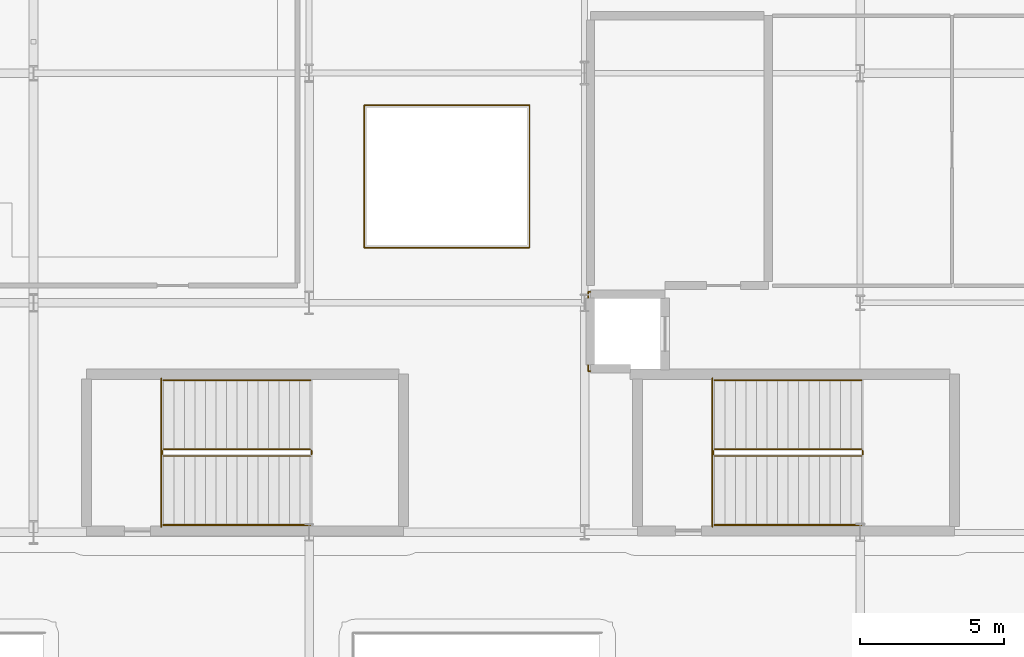
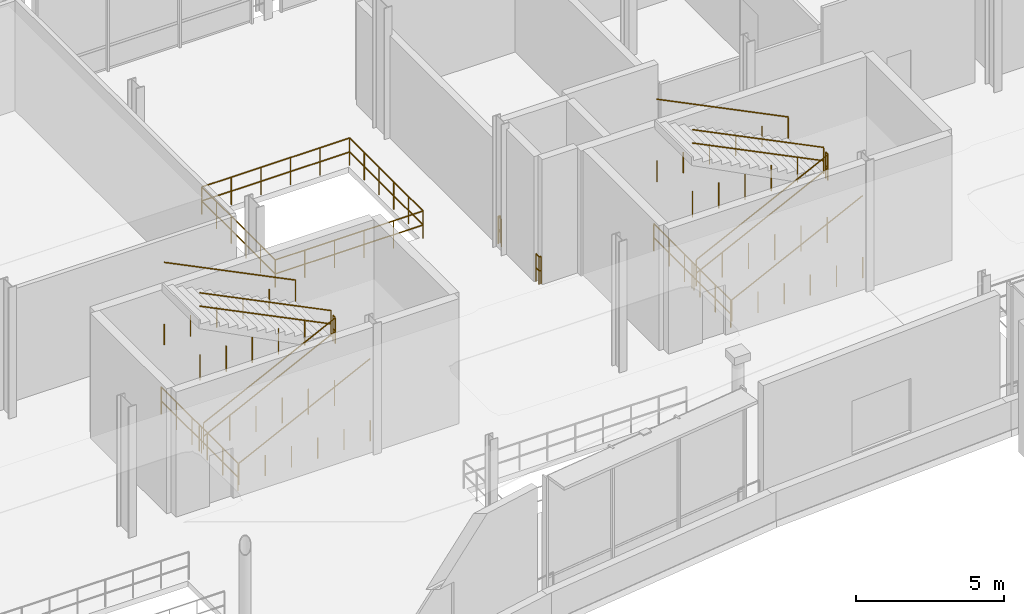
# One storey, part 106 of 129: 17 railings.
"""IFC4 building model written with IfcOpenShell, lengths in metres."""

import ifcopenshell
import ifcopenshell.guid

model = None  # the IFC model being written
_history = None  # IfcOwnerHistory: only IFC2X3 demands one
_inside = {}  # id of a spatial element -> (the spatial element, [elements in it])
_under = {}  # id of a project, library or spatial element -> (it, [spatial elements below it])
_declared = {}  # id of a project -> (the project, [libraries it declares])
_typed = {}  # id of a type object -> (the type object, [elements of that type])
_made_of = {}  # id of a material, layer set ... -> (it, [elements and type objects made of it])


def new_model(schema):
    """Start an empty IFC model of exactly this schema.

    Asked for "IFC4X3", IfcOpenShell would pick the latest addendum, in which some entities
    have other attributes; the version numbers below select the first issue.
    IFC2X3 requires an IfcOwnerHistory on every rooted entity: one is made here for all.
    """
    global model, _history
    if schema == "IFC4X3":
        model = ifcopenshell.file(schema_version=(4, 3, 0, 0))
    else:
        model = ifcopenshell.file(schema=schema)
    _inside.clear()
    _under.clear()
    _declared.clear()
    _typed.clear()
    _made_of.clear()
    _history = None
    if model.schema == "IFC2X3":
        org = make("IfcOrganization", Name="unknown")
        user = make(
            "IfcPersonAndOrganization",
            ThePerson=make("IfcPerson", FamilyName="unknown"),
            TheOrganization=org,
        )
        app = make(
            "IfcApplication",
            ApplicationDeveloper=org,
            Version="unknown",
            ApplicationFullName="unknown",
            ApplicationIdentifier="unknown",
        )
        _history = make(
            "IfcOwnerHistory",
            OwningUser=user,
            OwningApplication=app,
            ChangeAction="ADDED",
            CreationDate=0,
        )
    return model


def make(cls, **values):
    """One entity of the class cls with the attributes given. An attribute that is None is left unset."""
    return model.create_entity(
        cls, **{name: value for name, value in values.items() if value is not None}
    )


def rooted(cls, **values):
    """An entity with a GlobalId (a new one), such as an element, a storey or a relation."""
    return make(cls, GlobalId=ifcopenshell.guid.new(), OwnerHistory=_history, **values)


def si_unit(unit_type, name, prefix=None):
    """IfcSIUnit, for example si_unit("LENGTHUNIT", "METRE", prefix="MILLI")."""
    return make("IfcSIUnit", UnitType=unit_type, Prefix=prefix, Name=name)


def assignment(units):
    """IfcUnitAssignment: the units of a project."""
    return None if units is None else make("IfcUnitAssignment", Units=units)


def point(xyz):
    """IfcCartesianPoint."""
    return None if xyz is None else make("IfcCartesianPoint", Coordinates=xyz)


def direction(xyz):
    """IfcDirection."""
    return None if xyz is None else make("IfcDirection", DirectionRatios=xyz)


def frame(location, z_axis=None, x_axis=None):
    """IfcAxis2Placement3D, a coordinate frame: its origin and axes. An axis left out is left unset."""
    return make(
        "IfcAxis2Placement3D",
        Location=point(location),
        Axis=direction(z_axis),
        RefDirection=direction(x_axis),
    )


def frame_2d(location, x_axis=None):
    """IfcAxis2Placement2D, a coordinate frame in the plane: its origin and x axis."""
    return make(
        "IfcAxis2Placement2D", Location=point(location), RefDirection=direction(x_axis)
    )


def origin():
    """The frame at (0, 0, 0) with its axes left unset."""
    return frame((0.0, 0.0, 0.0))


def origin_2d():
    """The frame at (0, 0) in the plane with its x axis left unset."""
    return frame_2d((0.0, 0.0))


def place(relative_to, where):
    """IfcLocalPlacement: puts the frame where relative to a parent placement (None: the world)."""
    return make(
        "IfcLocalPlacement", PlacementRelTo=relative_to, RelativePlacement=where
    )


def context(
    kind, dimensions, precision=None, world=None, true_north=None, identifier=None
):
    """IfcGeometricRepresentationContext, for example the 3D "Model" context."""
    return make(
        "IfcGeometricRepresentationContext",
        ContextIdentifier=identifier,
        ContextType=kind,
        CoordinateSpaceDimension=dimensions,
        Precision=precision,
        WorldCoordinateSystem=world,
        TrueNorth=true_north,
    )


def subcontext(parent, identifier, kind, view, scale=None):
    """IfcGeometricRepresentationSubContext, for example "Body" below "Model"."""
    return make(
        "IfcGeometricRepresentationSubContext",
        ContextIdentifier=identifier,
        ContextType=kind,
        ParentContext=parent,
        TargetScale=scale,
        TargetView=view,
    )


def project(units=None, contexts=None):
    """IfcProject with its units and contexts."""
    return rooted(
        "IfcProject",
        Name="project",
        RepresentationContexts=contexts,
        UnitsInContext=assignment(units),
    )


def spatial(cls, under=None, at=None, **own):
    """A site, building, storey or space (cls), placed at a placement, below another one or the project."""
    s = rooted(cls, ObjectPlacement=at, **own)
    if under is not None:
        _under.setdefault(under.id(), (under, []))[1].append(s)
    return s


def profile(cls, at=None, kind="AREA", **sizes):
    """A parametric profile (cls). Its sizes go by their IFC names, for example OverallWidth=200.0."""
    return make(cls, ProfileType=kind, Position=at, **sizes)


def circle(**sizes):
    """IfcCircleProfileDef."""
    return profile("IfcCircleProfileDef", **sizes)


def extrude(swept, where, along, depth):
    """IfcExtrudedAreaSolid: the profile swept, set in the frame where, extruded along a direction by depth."""
    return make(
        "IfcExtrudedAreaSolid",
        SweptArea=swept,
        Position=where,
        ExtrudedDirection=direction(along),
        Depth=depth,
    )


def shape(context_of_items, identifier, shape_type, items):
    """IfcShapeRepresentation: the items that make up one representation, for example the "Body"."""
    return make(
        "IfcShapeRepresentation",
        ContextOfItems=context_of_items,
        RepresentationIdentifier=identifier,
        RepresentationType=shape_type,
        Items=items,
    )


def material(Name=None, Category=None):
    """IfcMaterial."""
    return make("IfcMaterial", Name=Name, Category=Category)


def made_of(thing, what):
    """Note that an element or type object is made of a material, layer set ...; save() writes the relation."""
    if what is not None:
        _made_of.setdefault(what.id(), (what, []))[1].append(thing)
    return thing


def type_object(cls, material=None, **own):
    """A type object (cls), such as IfcWallType, which elements share."""
    return made_of(rooted(cls, **own), material)


def element(
    cls,
    number,
    at=None,
    inside=None,
    cuts=None,
    type_object=None,
    material=None,
    context=None,
    identifier="Body",
    shape_type=None,
    held_by="IfcProductDefinitionShape",
    body=None,
    shapes=None,
    **own,
):
    """One element of the class cls, such as IfcWall. Its Tag is "e" and its number.

    at: its placement. inside: the storey or other place that contains it. cuts: it is an
    opening in that element (IfcRelVoidsElement). A single representation is given by context,
    identifier, shape_type and body (its items); several are given by shapes. held_by: the class
    of the entity that holds the representations. save() writes the other relations.
    """
    e = rooted(cls, Tag="e%d" % number, ObjectPlacement=at, **own)
    if body is not None:
        shapes = [shape(context, identifier, shape_type, body)]
    if shapes is not None:
        e.Representation = make(held_by, Representations=shapes)
    if inside is not None:
        _inside.setdefault(inside.id(), (inside, []))[1].append(e)
    if cuts is not None:
        rooted(
            "IfcRelVoidsElement", RelatingBuildingElement=cuts, RelatedOpeningElement=e
        )
    if type_object is not None:
        _typed.setdefault(type_object.id(), (type_object, []))[1].append(e)
    return made_of(e, material)


def aggregate(whole, parts):
    """IfcRelAggregates: a whole, such as a stair, and the parts it consists of."""
    return rooted("IfcRelAggregates", RelatingObject=whole, RelatedObjects=parts)


def save(model, path):
    """Write the relations noted so far, then the file.

    IfcRelAggregates (storeys below a building ...), IfcRelContainedInSpatialStructure (elements
    in a storey), IfcRelDefinesByType, IfcRelAssociatesMaterial and IfcRelDeclares: one each for
    every whole, place, type object, material and project.
    """
    for whole, parts in _under.values():
        aggregate(whole, parts)
    for where, things in _inside.values():
        rooted(
            "IfcRelContainedInSpatialStructure",
            RelatedElements=things,
            RelatingStructure=where,
        )
    for kind, things in _typed.values():
        rooted("IfcRelDefinesByType", RelatedObjects=things, RelatingType=kind)
    for what, things in _made_of.values():
        rooted("IfcRelAssociatesMaterial", RelatedObjects=things, RelatingMaterial=what)
    for by, libraries in _declared.values():
        rooted("IfcRelDeclares", RelatingContext=by, RelatedDefinitions=libraries)
    model.write(path)


model = new_model("IFC4")

# Units and contexts
model_context = context("Model", 3, precision=1e-05, world=origin(), true_north=direction((0.0, 1.0)))
body_context = subcontext(model_context, "Body", "Model", "MODEL_VIEW")
ifc_project = project(units=[si_unit("LENGTHUNIT", "METRE"), si_unit("AREAUNIT", "SQUARE_METRE"), si_unit("VOLUMEUNIT", "CUBIC_METRE"), si_unit("PLANEANGLEUNIT", "RADIAN"), si_unit("MASSUNIT", "GRAM", prefix="KILO")], contexts=[model_context])

# Site, building, storey
site_placement = place(None, origin())
site = spatial("IfcSite", under=ifc_project, at=site_placement, CompositionType="ELEMENT")
building_placement = place(site_placement, origin())
building = spatial("IfcBuilding", under=site, at=building_placement, Name="Danafjord Basin Convention Centre", CompositionType="ELEMENT")
storey_placement = place(building_placement, frame((0.0, 0.0, 6.0)))
storey = spatial("IfcBuildingStorey", under=building, at=storey_placement, Name="L01", CompositionType="ELEMENT", Elevation=6.0)

# Railings
ifc_material_1 = material(Name="Laminated structural glass and stainless steel", Category="steel")
railing_type_1 = type_object("IfcRailingType", Name="RL-BAL-GLS", PredefinedType="BALUSTRADE", material=ifc_material_1)
railing_1_placement = place(storey_placement, frame((52.449951171875, 21.375, 0.0)))
element("IfcRailing", 1, at=railing_1_placement, inside=storey, type_object=railing_type_1, Name="L01 safety guard balustrade 114", PredefinedType="BALUSTRADE", context=body_context, shape_type="SweptSolid", body=[
    extrude(circle(Radius=0.02392578125, at=origin_2d()), frame((0.0, 0.0, 1.1259765625), z_axis=(0.0, -1.0, 0.0), x_axis=(1.0, 0.0, 0.0)), (0.0, 0.0, 1.0), 5.18994140625),
    extrude(circle(Radius=0.02392578125, at=origin_2d()), frame((0.0, 0.0, 0.55078125), z_axis=(0.0, -1.0, 0.0), x_axis=(1.0, 0.0, 0.0)), (0.0, 0.0, 1.0), 5.18994140625),
    extrude(circle(Radius=0.02099609375, at=origin_2d()), origin(), (0.0, 0.0, 1.0), 1.099853515625),
    extrude(circle(Radius=0.02099609375, at=origin_2d()), frame((0.0, -1.0380859375, 0.0)), (0.0, 0.0, 1.0), 1.099853515625),
    extrude(circle(Radius=0.02099609375, at=origin_2d()), frame((0.0, -2.075927734375, 0.0)), (0.0, 0.0, 1.0), 1.099853515625),
    extrude(circle(Radius=0.02099609375, at=origin_2d()), frame((0.0, -3.114013671875, 0.0)), (0.0, 0.0, 1.0), 1.099853515625),
    extrude(circle(Radius=0.02099609375, at=origin_2d()), frame((0.0, -4.15185546875, 0.0)), (0.0, 0.0, 1.0), 1.099853515625),
    extrude(circle(Radius=0.02099609375, at=origin_2d()), frame((0.0, -5.18994140625, 0.0)), (0.0, 0.0, 1.0), 1.099853515625),
])
railing_2_placement = place(storey_placement, frame((48.199951171875, 24.3798828125, 0.0)))
element("IfcRailing", 2, at=railing_2_placement, inside=storey, type_object=railing_type_1, Name="L01 safety guard balustrade 116", PredefinedType="BALUSTRADE", context=body_context, shape_type="SweptSolid", body=[
    extrude(circle(Radius=0.02392578125, at=origin_2d()), frame((0.0, 0.0, 1.1259765625), z_axis=(-1.0, 0.0, 0.0), x_axis=(0.0, -1.0, 0.0)), (0.0, 0.0, 1.0), 0.079833984375),
    extrude(circle(Radius=0.02392578125, at=origin_2d()), frame((0.0, 0.0, 0.55078125), z_axis=(-1.0, 0.0, 0.0), x_axis=(0.0, -1.0, 0.0)), (0.0, 0.0, 1.0), 0.079833984375),
    extrude(circle(Radius=0.02392578125, at=origin_2d()), frame((-0.079833984375, 0.0, 1.1259765625), z_axis=(0.0, -1.0, 0.0), x_axis=(1.0, 0.0, 0.0)), (0.0, 0.0, 1.0), 0.21484375),
    extrude(circle(Radius=0.02392578125, at=origin_2d()), frame((-0.079833984375, 0.0, 0.55078125), z_axis=(0.0, -1.0, 0.0), x_axis=(1.0, 0.0, 0.0)), (0.0, 0.0, 1.0), 0.21484375),
    extrude(circle(Radius=0.02099609375, at=origin_2d()), origin(), (0.0, 0.0, 1.0), 1.099853515625),
    extrude(circle(Radius=0.02099609375, at=origin_2d()), frame((-0.079833984375, 0.0, 0.0)), (0.0, 0.0, 1.0), 1.099853515625),
    extrude(circle(Radius=0.02099609375, at=origin_2d()), frame((-0.079833984375, -0.21484375, 0.0)), (0.0, 0.0, 1.0), 1.099853515625),
])
railing_3_placement = place(storey_placement, frame((33.25, 21.375, 0.0)))
element("IfcRailing", 3, at=railing_3_placement, inside=storey, type_object=railing_type_1, Name="L01 safety guard balustrade 120", PredefinedType="BALUSTRADE", context=body_context, shape_type="SweptSolid", body=[
    extrude(circle(Radius=0.02392578125, at=origin_2d()), frame((0.0, 0.0, 1.1259765625), z_axis=(0.0, -1.0, 0.0), x_axis=(1.0, 0.0, 0.0)), (0.0, 0.0, 1.0), 5.18994140625),
    extrude(circle(Radius=0.02392578125, at=origin_2d()), frame((0.0, 0.0, 0.55078125), z_axis=(0.0, -1.0, 0.0), x_axis=(1.0, 0.0, 0.0)), (0.0, 0.0, 1.0), 5.18994140625),
    extrude(circle(Radius=0.02099609375, at=origin_2d()), origin(), (0.0, 0.0, 1.0), 1.099853515625),
    extrude(circle(Radius=0.02099609375, at=origin_2d()), frame((0.0, -1.0380859375, 0.0)), (0.0, 0.0, 1.0), 1.099853515625),
    extrude(circle(Radius=0.02099609375, at=origin_2d()), frame((0.0, -2.075927734375, 0.0)), (0.0, 0.0, 1.0), 1.099853515625),
    extrude(circle(Radius=0.02099609375, at=origin_2d()), frame((0.0, -3.114013671875, 0.0)), (0.0, 0.0, 1.0), 1.099853515625),
    extrude(circle(Radius=0.02099609375, at=origin_2d()), frame((0.0, -4.15185546875, 0.0)), (0.0, 0.0, 1.0), 1.099853515625),
    extrude(circle(Radius=0.02099609375, at=origin_2d()), frame((0.0, -5.18994140625, 0.0)), (0.0, 0.0, 1.0), 1.099853515625),
])
ifc_material_2 = material(Name="Galvanised and powder-coated steel S355", Category="steel")
railing_type_2 = type_object("IfcRailingType", Name="RL-BAL-STL", PredefinedType="BALUSTRADE", material=ifc_material_2)
railing_4_placement = place(storey_placement, frame((48.1201171875, 21.8349609375, 0.0)))
element("IfcRailing", 4, at=railing_4_placement, inside=storey, type_object=railing_type_2, Name="L01 safety guard balustrade 117", PredefinedType="BALUSTRADE", context=body_context, shape_type="SweptSolid", body=[
    extrude(circle(Radius=0.02392578125, at=origin_2d()), frame((0.0, 0.0, 1.1259765625), z_axis=(0.0, -1.0, 0.0), x_axis=(1.0, 0.0, 0.0)), (0.0, 0.0, 1.0), 0.21484375),
    extrude(circle(Radius=0.02392578125, at=origin_2d()), frame((0.0, 0.0, 0.55078125), z_axis=(0.0, -1.0, 0.0), x_axis=(1.0, 0.0, 0.0)), (0.0, 0.0, 1.0), 0.21484375),
    extrude(circle(Radius=0.02392578125, at=origin_2d()), frame((0.0, -0.21484375, 1.1259765625), z_axis=(1.0, 0.0, 0.0), x_axis=(0.0, 1.0, 0.0)), (0.0, 0.0, 1.0), 0.079833984375),
    extrude(circle(Radius=0.02392578125, at=origin_2d()), frame((0.0, -0.21484375, 0.55078125), z_axis=(1.0, 0.0, 0.0), x_axis=(0.0, 1.0, 0.0)), (0.0, 0.0, 1.0), 0.079833984375),
    extrude(circle(Radius=0.02099609375, at=origin_2d()), origin(), (0.0, 0.0, 1.0), 1.099853515625),
    extrude(circle(Radius=0.02099609375, at=origin_2d()), frame((0.0, -0.21484375, 0.0)), (0.0, 0.0, 1.0), 1.099853515625),
    extrude(circle(Radius=0.02099609375, at=origin_2d()), frame((0.079833984375, -0.21484375, 0.0)), (0.0, 0.0, 1.0), 1.099853515625),
])
railing_5_placement = place(storey_placement, frame((46.080078125, 25.919921875, 0.0)))
element("IfcRailing", 5, at=railing_5_placement, inside=storey, type_object=railing_type_2, Name="L01 safety guard balustrade 119", PredefinedType="BALUSTRADE", context=body_context, shape_type="SweptSolid", body=[
    extrude(circle(Radius=0.02392578125, at=origin_2d()), frame((0.0, 0.0, 1.1259765625), z_axis=(0.0, 1.0, 0.0), x_axis=(-1.0, 0.0, 0.0)), (0.0, 0.0, 1.0), 4.9599609375),
    extrude(circle(Radius=0.02392578125, at=origin_2d()), frame((0.0, 0.0, 0.55078125), z_axis=(0.0, 1.0, 0.0), x_axis=(-1.0, 0.0, 0.0)), (0.0, 0.0, 1.0), 4.9599609375),
    extrude(circle(Radius=0.02392578125, at=origin_2d()), frame((0.0, 4.9599609375, 1.1259765625), z_axis=(-1.0, 0.0, 0.0), x_axis=(0.0, -1.0, 0.0)), (0.0, 0.0, 1.0), 5.760009765625),
    extrude(circle(Radius=0.02392578125, at=origin_2d()), frame((0.0, 4.9599609375, 0.55078125), z_axis=(-1.0, 0.0, 0.0), x_axis=(0.0, -1.0, 0.0)), (0.0, 0.0, 1.0), 5.760009765625),
    extrude(circle(Radius=0.02392578125, at=origin_2d()), frame((-5.760009765625, 4.9599609375, 1.1259765625), z_axis=(0.0, -1.0, 0.0), x_axis=(1.0, 0.0, 0.0)), (0.0, 0.0, 1.0), 4.9599609375),
    extrude(circle(Radius=0.02392578125, at=origin_2d()), frame((-5.760009765625, 4.9599609375, 0.55078125), z_axis=(0.0, -1.0, 0.0), x_axis=(1.0, 0.0, 0.0)), (0.0, 0.0, 1.0), 4.9599609375),
    extrude(circle(Radius=0.02392578125, at=origin_2d()), frame((-5.760009765625, 0.0, 1.1259765625), z_axis=(1.0, 0.0, 0.0), x_axis=(0.0, 1.0, 0.0)), (0.0, 0.0, 1.0), 5.760009765625),
    extrude(circle(Radius=0.02392578125, at=origin_2d()), frame((-5.760009765625, 0.0, 0.55078125), z_axis=(1.0, 0.0, 0.0), x_axis=(0.0, 1.0, 0.0)), (0.0, 0.0, 1.0), 5.760009765625),
    extrude(circle(Radius=0.02099609375, at=origin_2d()), origin(), (0.0, 0.0, 1.0), 1.099853515625),
    extrude(circle(Radius=0.02099609375, at=origin_2d()), frame((0.0, 0.991943359375, 0.0)), (0.0, 0.0, 1.0), 1.099853515625),
    extrude(circle(Radius=0.02099609375, at=origin_2d()), frame((0.0, 1.98388671875, 0.0)), (0.0, 0.0, 1.0), 1.099853515625),
    extrude(circle(Radius=0.02099609375, at=origin_2d()), frame((0.0, 2.97607421875, 0.0)), (0.0, 0.0, 1.0), 1.099853515625),
    extrude(circle(Radius=0.02099609375, at=origin_2d()), frame((0.0, 3.968017578125, 0.0)), (0.0, 0.0, 1.0), 1.099853515625),
    extrude(circle(Radius=0.02099609375, at=origin_2d()), frame((0.0, 4.9599609375, 0.0)), (0.0, 0.0, 1.0), 1.099853515625),
    extrude(circle(Radius=0.02099609375, at=origin_2d()), frame((-1.152099609375, 4.9599609375, 0.0)), (0.0, 0.0, 1.0), 1.099853515625),
    extrude(circle(Radius=0.02099609375, at=origin_2d()), frame((-2.303955078125, 4.9599609375, 0.0)), (0.0, 0.0, 1.0), 1.099853515625),
    extrude(circle(Radius=0.02099609375, at=origin_2d()), frame((-3.4560546875, 4.9599609375, 0.0)), (0.0, 0.0, 1.0), 1.099853515625),
    extrude(circle(Radius=0.02099609375, at=origin_2d()), frame((-4.60791015625, 4.9599609375, 0.0)), (0.0, 0.0, 1.0), 1.099853515625),
    extrude(circle(Radius=0.02099609375, at=origin_2d()), frame((-5.760009765625, 4.9599609375, 0.0)), (0.0, 0.0, 1.0), 1.099853515625),
    extrude(circle(Radius=0.02099609375, at=origin_2d()), frame((-5.760009765625, 3.968017578125, 0.0)), (0.0, 0.0, 1.0), 1.099853515625),
    extrude(circle(Radius=0.02099609375, at=origin_2d()), frame((-5.760009765625, 2.97607421875, 0.0)), (0.0, 0.0, 1.0), 1.099853515625),
    extrude(circle(Radius=0.02099609375, at=origin_2d()), frame((-5.760009765625, 1.98388671875, 0.0)), (0.0, 0.0, 1.0), 1.099853515625),
    extrude(circle(Radius=0.02099609375, at=origin_2d()), frame((-5.760009765625, 0.991943359375, 0.0)), (0.0, 0.0, 1.0), 1.099853515625),
    extrude(circle(Radius=0.02099609375, at=origin_2d()), frame((-5.760009765625, 0.0, 0.0)), (0.0, 0.0, 1.0), 1.099853515625),
    extrude(circle(Radius=0.02099609375, at=origin_2d()), frame((-4.60791015625, 0.0, 0.0)), (0.0, 0.0, 1.0), 1.099853515625),
    extrude(circle(Radius=0.02099609375, at=origin_2d()), frame((-3.4560546875, 0.0, 0.0)), (0.0, 0.0, 1.0), 1.099853515625),
    extrude(circle(Radius=0.02099609375, at=origin_2d()), frame((-2.303955078125, 0.0, 0.0)), (0.0, 0.0, 1.0), 1.099853515625),
    extrude(circle(Radius=0.02099609375, at=origin_2d()), frame((-1.152099609375, 0.0, 0.0)), (0.0, 0.0, 1.0), 1.099853515625),
])
ifc_material_3 = material(Name="Galvanised steel S355", Category="steel")
railing_type_3 = type_object("IfcRailingType", Name="RL-GD-WELL", PredefinedType="BALUSTRADE", material=ifc_material_3)
railing_6_placement = place(storey_placement, frame((52.530029296875, 18.659912109375, 0.179931640625)))
element("IfcRailing", 6, at=railing_6_placement, inside=storey, type_object=railing_type_3, Name="L01 ST-05 stair guard 1", PredefinedType="BALUSTRADE", context=body_context, shape_type="SweptSolid", body=[
    extrude(circle(Radius=0.02392578125, at=origin_2d()), frame((0.0, 0.0, 1.076171875), z_axis=(0.89686481642, 0.0, 0.442304760396), x_axis=(0.0, 1.0, 0.0)), (0.0, 0.0, 1.0), 5.697509765625),
    extrude(circle(Radius=0.02392578125, at=origin_2d()), frame((0.0, 0.0, 0.52587890625), z_axis=(0.89686481642, 0.0, 0.442304760396), x_axis=(0.0, 1.0, 0.0)), (0.0, 0.0, 1.0), 5.697509765625),
    extrude(circle(Radius=0.02099609375, at=origin_2d()), origin(), (0.0, 0.0, 1.0), 1.050048828125),
    extrude(circle(Radius=0.02099609375, at=origin_2d()), frame((1.02197265625, 0.0, 0.0)), (0.0, 0.0, 1.0), 1.050048828125),
    extrude(circle(Radius=0.02099609375, at=origin_2d()), frame((2.0439453125, 0.0, 0.0)), (0.0, 0.0, 1.0), 1.050048828125),
    extrude(circle(Radius=0.02099609375, at=origin_2d()), frame((3.06591796875, 0.0, 0.0)), (0.0, 0.0, 1.0), 1.050048828125),
    extrude(circle(Radius=0.02099609375, at=origin_2d()), frame((4.087890625, 0.0, 0.0)), (0.0, 0.0, 1.0), 1.050048828125),
    extrude(circle(Radius=0.02099609375, at=origin_2d()), frame((5.10986328125, 0.0, 0.0)), (0.0, 0.0, 1.0), 1.050048828125),
])
railing_7_placement = place(storey_placement, frame((57.68994140625, 18.7099609375, 2.699951171875)))
element("IfcRailing", 7, at=railing_7_placement, inside=storey, type_object=railing_type_3, Name="L01 ST-05 stair guard 2", PredefinedType="BALUSTRADE", context=body_context, shape_type="SweptSolid", body=[
    extrude(circle(Radius=0.02392578125, at=origin_2d()), frame((0.0, 0.0, 1.076171875), z_axis=(0.0, 1.0, 0.0), x_axis=(-1.0, 0.0, 0.0)), (0.0, 0.0, 1.0), 0.14013671875),
    extrude(circle(Radius=0.02392578125, at=origin_2d()), frame((0.0, 0.0, 0.52587890625), z_axis=(0.0, 1.0, 0.0), x_axis=(-1.0, 0.0, 0.0)), (0.0, 0.0, 1.0), 0.14013671875),
    extrude(circle(Radius=0.02099609375, at=origin_2d()), origin(), (0.0, 0.0, 1.0), 1.050048828125),
    extrude(circle(Radius=0.02099609375, at=origin_2d()), frame((0.0, 0.14013671875, 0.0)), (0.0, 0.0, 1.0), 1.050048828125),
])
railing_8_placement = place(storey_placement, frame((57.639892578125, 18.89990234375, 2.8798828125)))
element("IfcRailing", 8, at=railing_8_placement, inside=storey, type_object=railing_type_3, Name="L01 ST-05 stair guard 3", PredefinedType="BALUSTRADE", context=body_context, shape_type="SweptSolid", body=[
    extrude(circle(Radius=0.02392578125, at=origin_2d()), frame((0.0, 0.0, 1.076171875), z_axis=(-0.89686481642, 0.0, 0.442304760396), x_axis=(0.0, -1.0, 0.0)), (0.0, 0.0, 1.0), 5.697509765625),
    extrude(circle(Radius=0.02392578125, at=origin_2d()), frame((0.0, 0.0, 0.52587890625), z_axis=(-0.89686481642, 0.0, 0.442304760396), x_axis=(0.0, -1.0, 0.0)), (0.0, 0.0, 1.0), 5.697509765625),
    extrude(circle(Radius=0.02099609375, at=origin_2d()), origin(), (0.0, 0.0, 1.0), 1.050048828125),
    extrude(circle(Radius=0.02099609375, at=origin_2d()), frame((-1.02197265625, 0.0, 0.0)), (0.0, 0.0, 1.0), 1.050048828125),
    extrude(circle(Radius=0.02099609375, at=origin_2d()), frame((-2.0439453125, 0.0, 0.0)), (0.0, 0.0, 1.0), 1.050048828125),
    extrude(circle(Radius=0.02099609375, at=origin_2d()), frame((-3.06591796875, 0.0, 0.0)), (0.0, 0.0, 1.0), 1.050048828125),
    extrude(circle(Radius=0.02099609375, at=origin_2d()), frame((-4.087890625, 0.0, 0.0)), (0.0, 0.0, 1.0), 1.050048828125),
    extrude(circle(Radius=0.02099609375, at=origin_2d()), frame((-5.10986328125, 0.0, 0.0)), (0.0, 0.0, 1.0), 1.050048828125),
])
railing_9_placement = place(storey_placement, frame((52.47998046875, 18.7099609375, 0.0)))
element("IfcRailing", 9, at=railing_9_placement, inside=storey, type_object=railing_type_3, Name="L01 ST-05 stair guard 4", PredefinedType="BALUSTRADE", context=body_context, shape_type="SweptSolid", body=[
    extrude(circle(Radius=0.02392578125, at=origin_2d()), frame((0.0, 0.0, 1.076171875), z_axis=(0.0, 1.0, 0.0), x_axis=(-1.0, 0.0, 0.0)), (0.0, 0.0, 1.0), 0.14013671875),
    extrude(circle(Radius=0.02392578125, at=origin_2d()), frame((0.0, 0.0, 0.52587890625), z_axis=(0.0, 1.0, 0.0), x_axis=(-1.0, 0.0, 0.0)), (0.0, 0.0, 1.0), 0.14013671875),
    extrude(circle(Radius=0.02099609375, at=origin_2d()), origin(), (0.0, 0.0, 1.0), 1.050048828125),
    extrude(circle(Radius=0.02099609375, at=origin_2d()), frame((0.0, 0.14013671875, 0.0)), (0.0, 0.0, 1.0), 1.050048828125),
])
railing_10_placement = place(storey_placement, frame((33.330078125, 18.659912109375, 0.179931640625)))
element("IfcRailing", 10, at=railing_10_placement, inside=storey, type_object=railing_type_3, Name="L01 ST-02 stair guard 1", PredefinedType="BALUSTRADE", context=body_context, shape_type="SweptSolid", body=[
    extrude(circle(Radius=0.02392578125, at=origin_2d()), frame((0.0, 0.0, 1.076171875), z_axis=(0.89686481642, 0.0, 0.442304760396), x_axis=(0.0, 1.0, 0.0)), (0.0, 0.0, 1.0), 5.697509765625),
    extrude(circle(Radius=0.02392578125, at=origin_2d()), frame((0.0, 0.0, 0.52587890625), z_axis=(0.89686481642, 0.0, 0.442304760396), x_axis=(0.0, 1.0, 0.0)), (0.0, 0.0, 1.0), 5.697509765625),
    extrude(circle(Radius=0.02099609375, at=origin_2d()), origin(), (0.0, 0.0, 1.0), 1.050048828125),
    extrude(circle(Radius=0.02099609375, at=origin_2d()), frame((1.02197265625, 0.0, 0.0)), (0.0, 0.0, 1.0), 1.050048828125),
    extrude(circle(Radius=0.02099609375, at=origin_2d()), frame((2.0439453125, 0.0, 0.0)), (0.0, 0.0, 1.0), 1.050048828125),
    extrude(circle(Radius=0.02099609375, at=origin_2d()), frame((3.06591796875, 0.0, 0.0)), (0.0, 0.0, 1.0), 1.050048828125),
    extrude(circle(Radius=0.02099609375, at=origin_2d()), frame((4.087890625, 0.0, 0.0)), (0.0, 0.0, 1.0), 1.050048828125),
    extrude(circle(Radius=0.02099609375, at=origin_2d()), frame((5.10986328125, 0.0, 0.0)), (0.0, 0.0, 1.0), 1.050048828125),
])
railing_11_placement = place(storey_placement, frame((38.489990234375, 18.7099609375, 2.699951171875)))
element("IfcRailing", 11, at=railing_11_placement, inside=storey, type_object=railing_type_3, Name="L01 ST-02 stair guard 2", PredefinedType="BALUSTRADE", context=body_context, shape_type="SweptSolid", body=[
    extrude(circle(Radius=0.02392578125, at=origin_2d()), frame((0.0, 0.0, 1.076171875), z_axis=(0.0, 1.0, 0.0), x_axis=(-1.0, 0.0, 0.0)), (0.0, 0.0, 1.0), 0.14013671875),
    extrude(circle(Radius=0.02392578125, at=origin_2d()), frame((0.0, 0.0, 0.52587890625), z_axis=(0.0, 1.0, 0.0), x_axis=(-1.0, 0.0, 0.0)), (0.0, 0.0, 1.0), 0.14013671875),
    extrude(circle(Radius=0.02099609375, at=origin_2d()), origin(), (0.0, 0.0, 1.0), 1.050048828125),
    extrude(circle(Radius=0.02099609375, at=origin_2d()), frame((0.0, 0.14013671875, 0.0)), (0.0, 0.0, 1.0), 1.050048828125),
])
railing_12_placement = place(storey_placement, frame((38.43994140625, 18.89990234375, 2.8798828125)))
element("IfcRailing", 12, at=railing_12_placement, inside=storey, type_object=railing_type_3, Name="L01 ST-02 stair guard 3", PredefinedType="BALUSTRADE", context=body_context, shape_type="SweptSolid", body=[
    extrude(circle(Radius=0.02392578125, at=origin_2d()), frame((0.0, 0.0, 1.076171875), z_axis=(-0.89686481642, 0.0, 0.442304760396), x_axis=(0.0, -1.0, 0.0)), (0.0, 0.0, 1.0), 5.697509765625),
    extrude(circle(Radius=0.02392578125, at=origin_2d()), frame((0.0, 0.0, 0.52587890625), z_axis=(-0.89686481642, 0.0, 0.442304760396), x_axis=(0.0, -1.0, 0.0)), (0.0, 0.0, 1.0), 5.697509765625),
    extrude(circle(Radius=0.02099609375, at=origin_2d()), origin(), (0.0, 0.0, 1.0), 1.050048828125),
    extrude(circle(Radius=0.02099609375, at=origin_2d()), frame((-1.02197265625, 0.0, 0.0)), (0.0, 0.0, 1.0), 1.050048828125),
    extrude(circle(Radius=0.02099609375, at=origin_2d()), frame((-2.0439453125, 0.0, 0.0)), (0.0, 0.0, 1.0), 1.050048828125),
    extrude(circle(Radius=0.02099609375, at=origin_2d()), frame((-3.06591796875, 0.0, 0.0)), (0.0, 0.0, 1.0), 1.050048828125),
    extrude(circle(Radius=0.02099609375, at=origin_2d()), frame((-4.087890625, 0.0, 0.0)), (0.0, 0.0, 1.0), 1.050048828125),
    extrude(circle(Radius=0.02099609375, at=origin_2d()), frame((-5.10986328125, 0.0, 0.0)), (0.0, 0.0, 1.0), 1.050048828125),
])
railing_13_placement = place(storey_placement, frame((33.280029296875, 18.7099609375, 0.0)))
element("IfcRailing", 13, at=railing_13_placement, inside=storey, type_object=railing_type_3, Name="L01 ST-02 stair guard 4", PredefinedType="BALUSTRADE", context=body_context, shape_type="SweptSolid", body=[
    extrude(circle(Radius=0.02392578125, at=origin_2d()), frame((0.0, 0.0, 1.076171875), z_axis=(0.0, 1.0, 0.0), x_axis=(-1.0, 0.0, 0.0)), (0.0, 0.0, 1.0), 0.14013671875),
    extrude(circle(Radius=0.02392578125, at=origin_2d()), frame((0.0, 0.0, 0.52587890625), z_axis=(0.0, 1.0, 0.0), x_axis=(-1.0, 0.0, 0.0)), (0.0, 0.0, 1.0), 0.14013671875),
    extrude(circle(Radius=0.02099609375, at=origin_2d()), origin(), (0.0, 0.0, 1.0), 1.050048828125),
    extrude(circle(Radius=0.02099609375, at=origin_2d()), frame((0.0, 0.14013671875, 0.0)), (0.0, 0.0, 1.0), 1.050048828125),
])
ifc_material_4 = material(Name="Brushed stainless steel EN 1.4404", Category="steel")
railing_type_4 = type_object("IfcRailingType", Name="RL-HR-STAIR", PredefinedType="HANDRAIL", material=ifc_material_4)
railing_14_placement = place(storey_placement, frame((52.530029296875, 16.260009765625, 0.179931640625)))
element("IfcRailing", 14, at=railing_14_placement, inside=storey, type_object=railing_type_4, Name="L01 ST-05 stair handrail 1", PredefinedType="HANDRAIL", context=body_context, shape_type="SweptSolid", body=[
    extrude(circle(Radius=0.02392578125, at=origin_2d()), frame((0.0, 0.0, 0.8759765625), z_axis=(0.89686481642, 0.0, 0.442304760396), x_axis=(0.0, 1.0, 0.0)), (0.0, 0.0, 1.0), 5.697509765625),
    extrude(circle(Radius=0.02099609375, at=origin_2d()), origin(), (0.0, 0.0, 1.0), 0.849853515625),
    extrude(circle(Radius=0.02099609375, at=origin_2d()), frame((1.02197265625, 0.0, 0.0)), (0.0, 0.0, 1.0), 0.849853515625),
    extrude(circle(Radius=0.02099609375, at=origin_2d()), frame((2.0439453125, 0.0, 0.0)), (0.0, 0.0, 1.0), 0.849853515625),
    extrude(circle(Radius=0.02099609375, at=origin_2d()), frame((3.06591796875, 0.0, 0.0)), (0.0, 0.0, 1.0), 0.849853515625),
    extrude(circle(Radius=0.02099609375, at=origin_2d()), frame((4.087890625, 0.0, 0.0)), (0.0, 0.0, 1.0), 0.849853515625),
    extrude(circle(Radius=0.02099609375, at=origin_2d()), frame((5.10986328125, 0.0, 0.0)), (0.0, 0.0, 1.0), 0.849853515625),
])
railing_15_placement = place(storey_placement, frame((57.639892578125, 21.300048828125, 2.8798828125)))
element("IfcRailing", 15, at=railing_15_placement, inside=storey, type_object=railing_type_4, Name="L01 ST-05 stair handrail 2", PredefinedType="HANDRAIL", context=body_context, shape_type="SweptSolid", body=[
    extrude(circle(Radius=0.02392578125, at=origin_2d()), frame((0.0, 0.0, 0.8759765625), z_axis=(-0.89686481642, 0.0, 0.442304760396), x_axis=(0.0, -1.0, 0.0)), (0.0, 0.0, 1.0), 5.697509765625),
    extrude(circle(Radius=0.02099609375, at=origin_2d()), origin(), (0.0, 0.0, 1.0), 0.849853515625),
    extrude(circle(Radius=0.02099609375, at=origin_2d()), frame((-1.02197265625, 0.0, 0.0)), (0.0, 0.0, 1.0), 0.849853515625),
    extrude(circle(Radius=0.02099609375, at=origin_2d()), frame((-2.0439453125, 0.0, 0.0)), (0.0, 0.0, 1.0), 0.849853515625),
    extrude(circle(Radius=0.02099609375, at=origin_2d()), frame((-3.06591796875, 0.0, 0.0)), (0.0, 0.0, 1.0), 0.849853515625),
    extrude(circle(Radius=0.02099609375, at=origin_2d()), frame((-4.087890625, 0.0, 0.0)), (0.0, 0.0, 1.0), 0.849853515625),
    extrude(circle(Radius=0.02099609375, at=origin_2d()), frame((-5.10986328125, 0.0, 0.0)), (0.0, 0.0, 1.0), 0.849853515625),
])
railing_16_placement = place(storey_placement, frame((33.330078125, 16.260009765625, 0.179931640625)))
element("IfcRailing", 16, at=railing_16_placement, inside=storey, type_object=railing_type_4, Name="L01 ST-02 stair handrail 1", PredefinedType="HANDRAIL", context=body_context, shape_type="SweptSolid", body=[
    extrude(circle(Radius=0.02392578125, at=origin_2d()), frame((0.0, 0.0, 0.8759765625), z_axis=(0.89686481642, 0.0, 0.442304760396), x_axis=(0.0, 1.0, 0.0)), (0.0, 0.0, 1.0), 5.697509765625),
    extrude(circle(Radius=0.02099609375, at=origin_2d()), origin(), (0.0, 0.0, 1.0), 0.849853515625),
    extrude(circle(Radius=0.02099609375, at=origin_2d()), frame((1.02197265625, 0.0, 0.0)), (0.0, 0.0, 1.0), 0.849853515625),
    extrude(circle(Radius=0.02099609375, at=origin_2d()), frame((2.0439453125, 0.0, 0.0)), (0.0, 0.0, 1.0), 0.849853515625),
    extrude(circle(Radius=0.02099609375, at=origin_2d()), frame((3.06591796875, 0.0, 0.0)), (0.0, 0.0, 1.0), 0.849853515625),
    extrude(circle(Radius=0.02099609375, at=origin_2d()), frame((4.087890625, 0.0, 0.0)), (0.0, 0.0, 1.0), 0.849853515625),
    extrude(circle(Radius=0.02099609375, at=origin_2d()), frame((5.10986328125, 0.0, 0.0)), (0.0, 0.0, 1.0), 0.849853515625),
])
railing_17_placement = place(storey_placement, frame((38.43994140625, 21.300048828125, 2.8798828125)))
element("IfcRailing", 17, at=railing_17_placement, inside=storey, type_object=railing_type_4, Name="L01 ST-02 stair handrail 2", PredefinedType="HANDRAIL", context=body_context, shape_type="SweptSolid", body=[
    extrude(circle(Radius=0.02392578125, at=origin_2d()), frame((0.0, 0.0, 0.8759765625), z_axis=(-0.89686481642, 0.0, 0.442304760396), x_axis=(0.0, -1.0, 0.0)), (0.0, 0.0, 1.0), 5.697509765625),
    extrude(circle(Radius=0.02099609375, at=origin_2d()), origin(), (0.0, 0.0, 1.0), 0.849853515625),
    extrude(circle(Radius=0.02099609375, at=origin_2d()), frame((-1.02197265625, 0.0, 0.0)), (0.0, 0.0, 1.0), 0.849853515625),
    extrude(circle(Radius=0.02099609375, at=origin_2d()), frame((-2.0439453125, 0.0, 0.0)), (0.0, 0.0, 1.0), 0.849853515625),
    extrude(circle(Radius=0.02099609375, at=origin_2d()), frame((-3.06591796875, 0.0, 0.0)), (0.0, 0.0, 1.0), 0.849853515625),
    extrude(circle(Radius=0.02099609375, at=origin_2d()), frame((-4.087890625, 0.0, 0.0)), (0.0, 0.0, 1.0), 0.849853515625),
    extrude(circle(Radius=0.02099609375, at=origin_2d()), frame((-5.10986328125, 0.0, 0.0)), (0.0, 0.0, 1.0), 0.849853515625),
])

save(model, "model.ifc")
